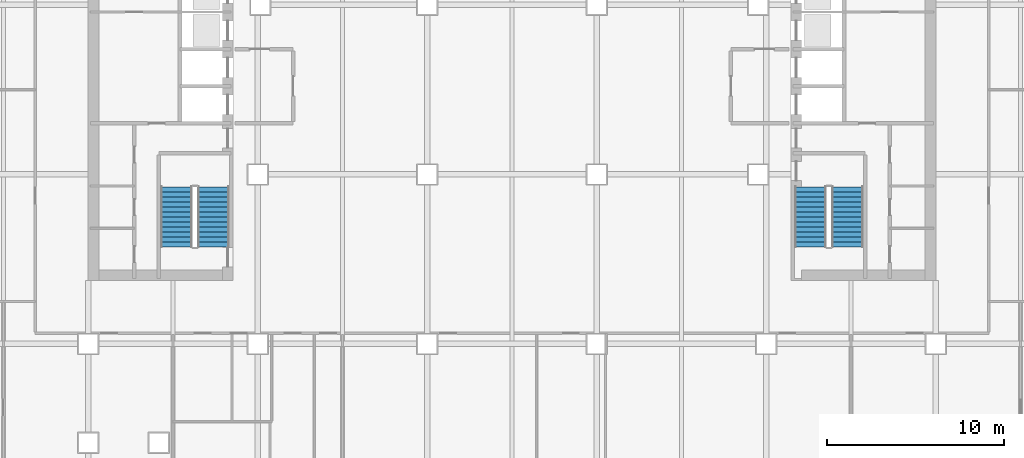
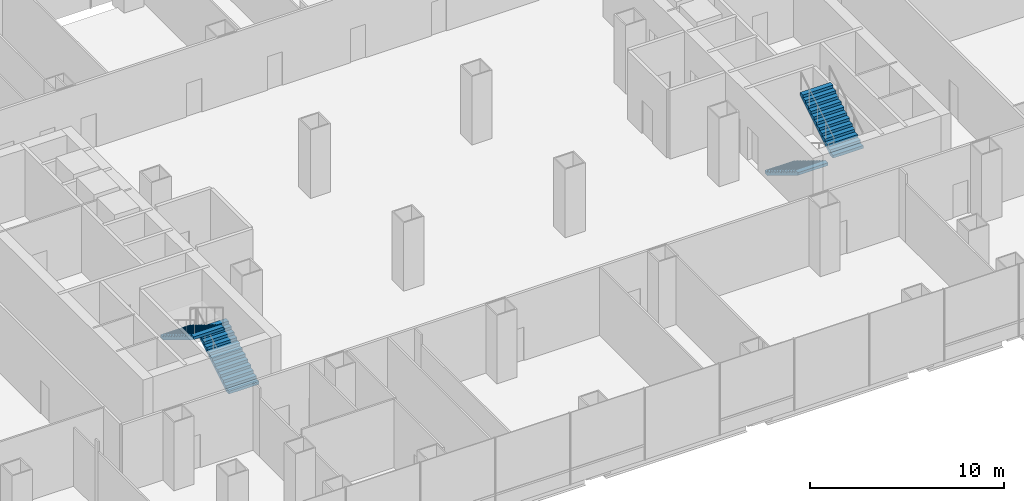
# One storey, part 21 of 23: 4 stair flights, 2 elements without a shape of their own.
"""IFC4 building model written with IfcOpenShell, lengths in metres."""

from ifc_helpers import new_model, si_unit, direction, frame, origin, place, context, subcontext, project, spatial, polyline, outline, extrude, material, type_object, element, aggregate, save


model = new_model("IFC4")

# Units and contexts
model_context = context("Model", 3, precision=1e-05, world=origin(), true_north=direction((0.0, 1.0)))
body_context = subcontext(model_context, "Body", "Model", "MODEL_VIEW")
ifc_project = project(units=[si_unit("LENGTHUNIT", "METRE"), si_unit("AREAUNIT", "SQUARE_METRE"), si_unit("VOLUMEUNIT", "CUBIC_METRE"), si_unit("PLANEANGLEUNIT", "RADIAN"), si_unit("MASSUNIT", "GRAM", prefix="KILO")], contexts=[model_context])

# Site, building, storey
site_placement = place(None, origin())
site = spatial("IfcSite", under=ifc_project, at=site_placement, CompositionType="ELEMENT")
building_placement = place(site_placement, origin())
building = spatial("IfcBuilding", under=site, at=building_placement, Name="Cobrizo Arcos Hotel Tower", CompositionType="ELEMENT")
storey_placement = place(building_placement, frame((0.0, 0.0, 20.0)))
storey = spatial("IfcBuildingStorey", under=building, at=storey_placement, Name="L03", CompositionType="ELEMENT", Elevation=20.0)

# Stair, stair flights
ifc_material = material(Name="Concrete f'c 40 MPa", Category="concrete")
stair_type = type_object("IfcStairType", Name="Exit stair", PredefinedType="HALF_TURN_STAIR", material=ifc_material)
stair_1_placement = place(storey_placement, origin())
stair_1 = element("IfcStair", 1, at=stair_1_placement, inside=storey, type_object=stair_type, Name="L03 Exit stair ST-W", PredefinedType="HALF_TURN_STAIR")
stair_flight_type = type_object("IfcStairFlightType", Name="Exit stair flight", PredefinedType="STRAIGHT", material=ifc_material)
stair_flight_1_placement = place(storey_placement, frame((-16.89990234375, -8.89990234375, 0.0), z_axis=(0.0, 0.0, 1.0), x_axis=(0.0, 1.0, 0.0)))
stair_flight_1 = element("IfcStairFlight", 2, at=stair_flight_1_placement, type_object=stair_flight_type, Name="ST-W flight 1", NumberOfRisers=13, NumberOfTreads=12, PredefinedType="STRAIGHT", RiserHeight=0.173076923, TreadLength=0.283333333, context=body_context, shape_type="SweptSolid", body=[
    extrude(outline(polyline([(0.0, 0.0), (0.0, 0.173095703125), (0.283447265625, 0.173095703125), (0.283447265625, 0.34619140625), (0.566650390625, 0.34619140625), (0.566650390625, 0.519287109375), (0.85009765625, 0.519287109375), (0.85009765625, 0.6923828125), (1.13330078125, 0.6923828125), (1.13330078125, 0.865478515625), (1.416748046875, 0.865478515625), (1.416748046875, 1.03857421875), (1.699951171875, 1.03857421875), (1.699951171875, 1.21142578125), (1.9833984375, 1.21142578125), (1.9833984375, 1.384521484375), (2.2666015625, 1.384521484375), (2.2666015625, 1.5576171875), (2.550048828125, 1.5576171875), (2.550048828125, 1.730712890625), (2.833251953125, 1.730712890625), (2.833251953125, 1.90380859375), (3.11669921875, 1.90380859375), (3.11669921875, 2.076904296875), (3.39990234375, 2.076904296875), (3.39990234375, 2.25), (3.39990234375, 1.9013671875), (0.28759765625, 0.0), (0.0, 0.0)])), frame((0.0, 0.89990234375, 0.0), z_axis=(0.0, -1.0, 0.0), x_axis=(1.0, 0.0, 0.0)), (0.0, 0.0, 1.0), 1.800048828125),
])
stair_flight_2_placement = place(storey_placement, frame((-19.0, -5.5, 2.25), z_axis=(0.0, 0.0, 1.0), x_axis=(0.0, -1.0, 0.0)))
stair_flight_2 = element("IfcStairFlight", 3, at=stair_flight_2_placement, type_object=stair_flight_type, Name="ST-W flight 2", NumberOfRisers=13, NumberOfTreads=12, PredefinedType="STRAIGHT", RiserHeight=0.173076923, TreadLength=0.283333333, context=body_context, shape_type="SweptSolid", body=[
    extrude(outline(polyline([(0.0, 0.0), (0.0, 0.173095703125), (0.283447265625, 0.173095703125), (0.283447265625, 0.34619140625), (0.566650390625, 0.34619140625), (0.566650390625, 0.519287109375), (0.85009765625, 0.519287109375), (0.85009765625, 0.6923828125), (1.13330078125, 0.6923828125), (1.13330078125, 0.865478515625), (1.416748046875, 0.865478515625), (1.416748046875, 1.03857421875), (1.699951171875, 1.03857421875), (1.699951171875, 1.21142578125), (1.9833984375, 1.21142578125), (1.9833984375, 1.384521484375), (2.2666015625, 1.384521484375), (2.2666015625, 1.5576171875), (2.550048828125, 1.5576171875), (2.550048828125, 1.730712890625), (2.833251953125, 1.730712890625), (2.833251953125, 1.90380859375), (3.11669921875, 1.90380859375), (3.11669921875, 2.076904296875), (3.39990234375, 2.076904296875), (3.39990234375, 2.25), (3.39990234375, 1.9013671875), (0.28759765625, 0.0), (0.0, 0.0)])), frame((0.0, 0.89990234375, 0.0), z_axis=(0.0, -1.0, 0.0), x_axis=(1.0, 0.0, 0.0)), (0.0, 0.0, 1.0), 1.800048828125),
])
aggregate(stair_1, [stair_flight_1, stair_flight_2])

stair_2_placement = place(storey_placement, origin())
stair_2 = element("IfcStair", 4, at=stair_2_placement, inside=storey, type_object=stair_type, Name="L03 Exit stair ST-E", PredefinedType="HALF_TURN_STAIR")
stair_flight_3_placement = place(storey_placement, frame((16.89990234375, -5.5, 0.0), z_axis=(0.0, 0.0, 1.0), x_axis=(0.0, -1.0, 0.0)))
stair_flight_3 = element("IfcStairFlight", 5, at=stair_flight_3_placement, type_object=stair_flight_type, Name="ST-E flight 1", NumberOfRisers=13, NumberOfTreads=12, PredefinedType="STRAIGHT", RiserHeight=0.173076923, TreadLength=0.283333333, context=body_context, shape_type="SweptSolid", body=[
    extrude(outline(polyline([(0.0, 0.0), (0.0, 0.173095703125), (0.283447265625, 0.173095703125), (0.283447265625, 0.34619140625), (0.566650390625, 0.34619140625), (0.566650390625, 0.519287109375), (0.85009765625, 0.519287109375), (0.85009765625, 0.6923828125), (1.13330078125, 0.6923828125), (1.13330078125, 0.865478515625), (1.416748046875, 0.865478515625), (1.416748046875, 1.03857421875), (1.699951171875, 1.03857421875), (1.699951171875, 1.21142578125), (1.9833984375, 1.21142578125), (1.9833984375, 1.384521484375), (2.2666015625, 1.384521484375), (2.2666015625, 1.5576171875), (2.550048828125, 1.5576171875), (2.550048828125, 1.730712890625), (2.833251953125, 1.730712890625), (2.833251953125, 1.90380859375), (3.11669921875, 1.90380859375), (3.11669921875, 2.076904296875), (3.39990234375, 2.076904296875), (3.39990234375, 2.25), (3.39990234375, 1.9013671875), (0.28759765625, 0.0), (0.0, 0.0)])), frame((0.0, 0.89990234375, 0.0), z_axis=(0.0, -1.0, 0.0), x_axis=(1.0, 0.0, 0.0)), (0.0, 0.0, 1.0), 1.800048828125),
])
stair_flight_4_placement = place(storey_placement, frame((19.0, -8.89990234375, 2.25), z_axis=(0.0, 0.0, 1.0), x_axis=(0.0, 1.0, 0.0)))
stair_flight_4 = element("IfcStairFlight", 6, at=stair_flight_4_placement, type_object=stair_flight_type, Name="ST-E flight 2", NumberOfRisers=13, NumberOfTreads=12, PredefinedType="STRAIGHT", RiserHeight=0.173076923, TreadLength=0.283333333, context=body_context, shape_type="SweptSolid", body=[
    extrude(outline(polyline([(0.0, 0.0), (0.0, 0.173095703125), (0.283447265625, 0.173095703125), (0.283447265625, 0.34619140625), (0.566650390625, 0.34619140625), (0.566650390625, 0.519287109375), (0.85009765625, 0.519287109375), (0.85009765625, 0.6923828125), (1.13330078125, 0.6923828125), (1.13330078125, 0.865478515625), (1.416748046875, 0.865478515625), (1.416748046875, 1.03857421875), (1.699951171875, 1.03857421875), (1.699951171875, 1.21142578125), (1.9833984375, 1.21142578125), (1.9833984375, 1.384521484375), (2.2666015625, 1.384521484375), (2.2666015625, 1.5576171875), (2.550048828125, 1.5576171875), (2.550048828125, 1.730712890625), (2.833251953125, 1.730712890625), (2.833251953125, 1.90380859375), (3.11669921875, 1.90380859375), (3.11669921875, 2.076904296875), (3.39990234375, 2.076904296875), (3.39990234375, 2.25), (3.39990234375, 1.9013671875), (0.28759765625, 0.0), (0.0, 0.0)])), frame((0.0, 0.89990234375, 0.0), z_axis=(0.0, -1.0, 0.0), x_axis=(1.0, 0.0, 0.0)), (0.0, 0.0, 1.0), 1.800048828125),
])
aggregate(stair_2, [stair_flight_3, stair_flight_4])

save(model, "model.ifc")
